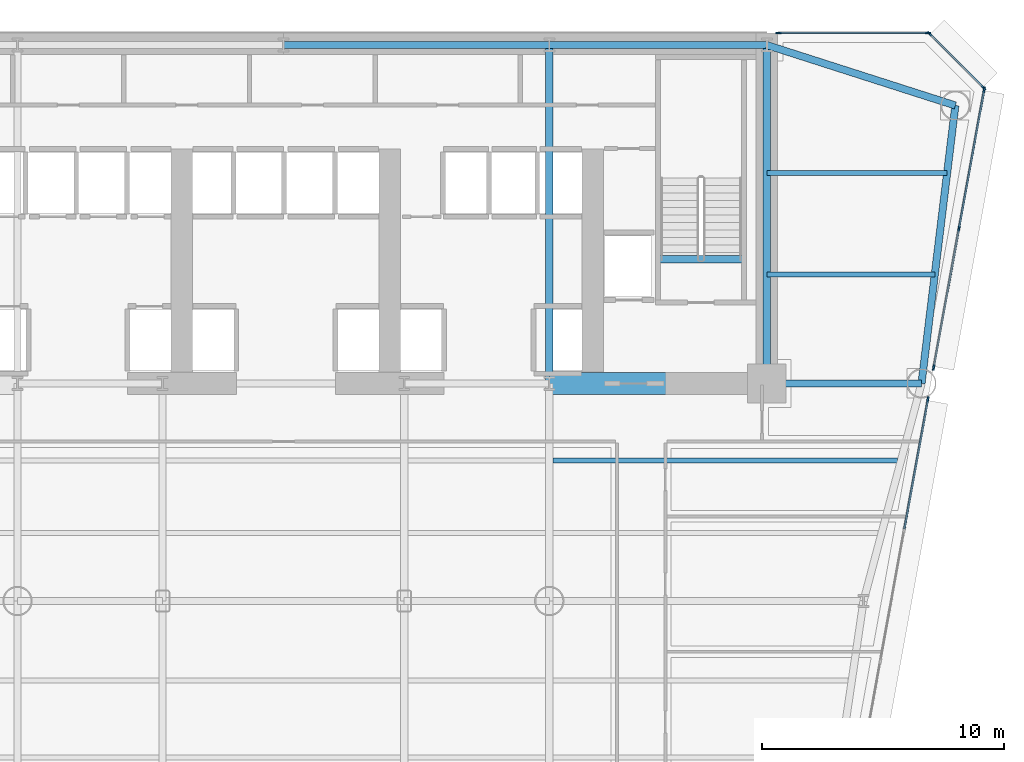
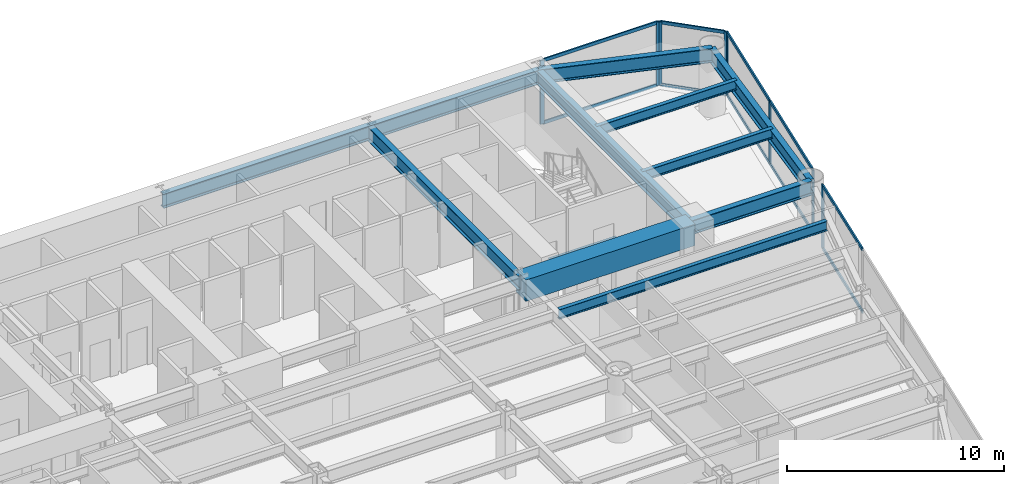
# One storey, part 6 of 14: 18 members, 12 beams, 4 elements without a shape of their own.
"""IFC4 building model written with IfcOpenShell, lengths in metres."""

from ifc_helpers import new_model, si_unit, direction, frame, origin, origin_2d, place, context, subcontext, project, spatial, rectangle, i_section, extrude, source, transform, mapped, material, layer, layer_set, material_profile, profile_set, type_object, element, aggregate, save


model = new_model("IFC4")

# Units and contexts
model_context = context("Model", 3, precision=1e-05, world=origin(), true_north=direction((0.0, 1.0)))
body_context = subcontext(model_context, "Body", "Model", "MODEL_VIEW")
ifc_project = project(units=[si_unit("LENGTHUNIT", "METRE"), si_unit("AREAUNIT", "SQUARE_METRE"), si_unit("VOLUMEUNIT", "CUBIC_METRE"), si_unit("PLANEANGLEUNIT", "RADIAN"), si_unit("MASSUNIT", "GRAM", prefix="KILO")], contexts=[model_context])

# Site, building, storey
site_placement = place(None, origin())
site = spatial("IfcSite", under=ifc_project, at=site_placement, CompositionType="ELEMENT")
building_placement = place(site_placement, origin())
building = spatial("IfcBuilding", under=site, at=building_placement, Name="Vaeldorn Concourse Tower", CompositionType="ELEMENT")
storey_placement = place(building_placement, frame((0.0, 0.0, 34.0)))
storey = spatial("IfcBuildingStorey", under=building, at=storey_placement, Name="L08", CompositionType="ELEMENT", Elevation=34.0)

# Beams
ifc_material_1 = material(Name="Concrete C60/75", Category="concrete")
ifc_material_profile_1 = material_profile(ifc_material_1, rectangle(XDim=0.89990234375, YDim=1.199951171875, at=origin_2d()), Name="RC 900x1200")
ifc_profile_set_1 = profile_set([ifc_material_profile_1], Name="Concrete C60/75")
beam_type_1 = type_object("IfcBeamType", Name="BM-CB-RC900", PredefinedType="BEAM", material=ifc_profile_set_1)
shared_shape_1 = source(origin(), body_context, "Body", "SweptSolid", [
    extrude(rectangle(XDim=0.89990234375, YDim=1.199951171875, at=origin_2d()), origin(), (0.0, 0.0, 1.0), 9.0),
])
beam_1_placement = place(storey_placement, frame((45.0, 36.5, 2.97998046875), z_axis=(1.0, 0.0, 0.0), x_axis=(0.0, 1.0, 0.0)))
element("IfcBeam", 1, at=beam_1_placement, inside=storey, type_object=beam_type_1, Name="Core Coupling Beam L08-2", PredefinedType="BEAM", context=body_context, shape_type="MappedRepresentation", body=[
    mapped(shared_shape_1, transform((0.0, 0.0, 0.0), scale=1.0)),
])
ifc_material_2 = material(Name="Steel S355", Category="steel")
ifc_material_profile_2 = material_profile(ifc_material_2, i_section(OverallWidth=0.300048828125, OverallDepth=0.340087890625, WebThickness=0.011962890625, FlangeThickness=0.021484375, FilletRadius=0.027099609375, at=origin_2d()), Name="HEB 340")
ifc_profile_set_2 = profile_set([ifc_material_profile_2], Name="Steel S355")
beam_type_2 = type_object("IfcBeamType", Name="BM-ST-TRIM", PredefinedType="BEAM", material=ifc_profile_set_2)
shared_shape_2 = source(origin(), body_context, "Body", "SweptSolid", [
    extrude(i_section(OverallWidth=0.300048828125, OverallDepth=0.340087890625, WebThickness=0.011962890625, FlangeThickness=0.021484375, FilletRadius=0.027099609375, at=origin_2d()), origin(), (0.0, 0.0, 1.0), 3.590087890625),
])
beam_2_placement = place(storey_placement, frame((49.47998046875, 41.639892578125, -0.389892578125), z_axis=(1.0, 0.0, 0.0), x_axis=(0.0, 1.0, 0.0)))
element("IfcBeam", 2, at=beam_2_placement, inside=storey, type_object=beam_type_2, Name="Stair Landing Trimmer Beam ST-2 L08", PredefinedType="BEAM", context=body_context, shape_type="MappedRepresentation", body=[
    mapped(shared_shape_2, transform((0.0, 0.0, 0.0), scale=1.0)),
])
ifc_material_profile_3 = material_profile(ifc_material_2, i_section(OverallWidth=0.300048828125, OverallDepth=0.800048828125, WebThickness=0.017578125, FlangeThickness=0.032958984375, FilletRadius=0.030029296875, at=origin_2d()), Name="HEB 800")
ifc_profile_set_3 = profile_set([ifc_material_profile_3], Name="Steel S355")
beam_type_3 = type_object("IfcBeamType", Name="BM-PG-HEB800", PredefinedType="BEAM", material=ifc_profile_set_3)
shared_shape_3 = source(origin(), body_context, "Body", "SweptSolid", [
    extrude(i_section(OverallWidth=0.300048828125, OverallDepth=0.800048828125, WebThickness=0.017578125, FlangeThickness=0.032958984375, FilletRadius=0.030029296875, at=origin_2d()), origin(), (0.0, 0.0, 1.0), 9.0),
])
beam_3_placement = place(storey_placement, frame((45.0, 50.5, 3.179931640625), z_axis=(1.0, 0.0, 0.0), x_axis=(0.0, 1.0, 0.0)))
element("IfcBeam", 3, at=beam_3_placement, inside=storey, type_object=beam_type_3, Name="Beam BM-L08-C-HC4-C-HC5", PredefinedType="BEAM", context=body_context, shape_type="MappedRepresentation", body=[
    mapped(shared_shape_3, transform((0.0, 0.0, 0.0), scale=1.0)),
])
shared_shape_4 = source(origin(), body_context, "Body", "SweptSolid", [
    extrude(i_section(OverallWidth=0.300048828125, OverallDepth=0.800048828125, WebThickness=0.017578125, FlangeThickness=0.032958984375, FilletRadius=0.030029296875, at=origin_2d()), origin(), (0.0, 0.0, 1.0), 11.0),
])
beam_4_placement = place(storey_placement, frame((34.0, 50.5, 3.179931640625), z_axis=(1.0, 0.0, 0.0), x_axis=(0.0, 1.0, 0.0)))
element("IfcBeam", 4, at=beam_4_placement, inside=storey, type_object=beam_type_3, Name="Beam BM-L08-C-HC3-C-HC4", PredefinedType="BEAM", context=body_context, shape_type="MappedRepresentation", body=[
    mapped(shared_shape_4, transform((0.0, 0.0, 0.0), scale=1.0)),
])
shared_shape_5 = source(origin(), body_context, "Body", "SweptSolid", [
    extrude(i_section(OverallWidth=0.300048828125, OverallDepth=0.800048828125, WebThickness=0.017578125, FlangeThickness=0.032958984375, FilletRadius=0.030029296875, at=origin_2d()), origin(), (0.0, 0.0, 1.0), 14.0),
])
for number, where, z_axis, x_axis, name in (
    (5, (45.0, 36.5, 3.179931640625), (0.0, 1.0, 0.0), (-1.0, 0.0, 0.0), "Beam BM-L08-C-FC5-C-HC4"),
    (6, (54.0, 36.5, 3.179931640625), (0.0, 1.0, 0.0), (-1.0, 0.0, 0.0), "Beam BM-L08-C-FC6-C-HC5"),
):
    element("IfcBeam", number, at=place(storey_placement, frame(where, z_axis=z_axis, x_axis=x_axis)), inside=storey, type_object=beam_type_3, Name=name, PredefinedType="BEAM", context=body_context, shape_type="MappedRepresentation", body=[
        mapped(shared_shape_5, transform((0.0, 0.0, 0.0), scale=1.0)),
    ])
shared_shape_6 = source(origin(), body_context, "Body", "SweptSolid", [
    extrude(i_section(OverallWidth=0.300048828125, OverallDepth=0.800048828125, WebThickness=0.017578125, FlangeThickness=0.032958984375, FilletRadius=0.030029296875, at=origin_2d()), origin(), (0.0, 0.0, 1.0), 8.19091796875),
])
beam_5_placement = place(storey_placement, frame((54.0, 50.5, 3.179931640625), z_axis=(0.952282843383, -0.305216949396, 0.0), x_axis=(0.305216949396, 0.952282843383, 0.0)))
element("IfcBeam", 7, at=beam_5_placement, inside=storey, type_object=beam_type_3, Name="Beam BM-L08-C-HC5-C-NE1", PredefinedType="BEAM", context=body_context, shape_type="MappedRepresentation", body=[
    mapped(shared_shape_6, transform((0.0, 0.0, 0.0), scale=1.0)),
])
shared_shape_7 = source(origin(), body_context, "Body", "SweptSolid", [
    extrude(i_section(OverallWidth=0.300048828125, OverallDepth=0.800048828125, WebThickness=0.017578125, FlangeThickness=0.032958984375, FilletRadius=0.030029296875, at=origin_2d()), origin(), (0.0, 0.0, 1.0), 11.5849609375),
])
beam_6_placement = place(storey_placement, frame((61.800048828125, 48.0, 3.179931640625), z_axis=(-0.120859382899, -0.992669637677, 0.0), x_axis=(0.992669637677, -0.120859382899, 0.0)))
element("IfcBeam", 8, at=beam_6_placement, inside=storey, type_object=beam_type_3, Name="Beam BM-L08-C-NE1-C-NE2", PredefinedType="BEAM", context=body_context, shape_type="MappedRepresentation", body=[
    mapped(shared_shape_7, transform((0.0, 0.0, 0.0), scale=1.0)),
])
shared_shape_8 = source(origin(), body_context, "Body", "SweptSolid", [
    extrude(i_section(OverallWidth=0.300048828125, OverallDepth=0.800048828125, WebThickness=0.017578125, FlangeThickness=0.032958984375, FilletRadius=0.030029296875, at=origin_2d()), origin(), (0.0, 0.0, 1.0), 6.39990234375),
])
beam_7_placement = place(storey_placement, frame((54.0, 36.5, 3.179931640625), z_axis=(1.0, 0.0, 0.0), x_axis=(0.0, 1.0, 0.0)))
element("IfcBeam", 9, at=beam_7_placement, inside=storey, type_object=beam_type_3, Name="Beam BM-L08-C-FC6-C-NE2", PredefinedType="BEAM", context=body_context, shape_type="MappedRepresentation", body=[
    mapped(shared_shape_8, transform((0.0, 0.0, 0.0), scale=1.0)),
])
ifc_material_profile_4 = material_profile(ifc_material_2, i_section(OverallWidth=0.2099609375, OverallDepth=0.550048828125, WebThickness=0.010986328125, FlangeThickness=0.01708984375, FilletRadius=0.02392578125, at=origin_2d()), Name="IPE 550")
ifc_profile_set_4 = profile_set([ifc_material_profile_4], Name="Steel S355")
beam_type_4 = type_object("IfcBeamType", Name="BM-JS-IPE550", PredefinedType="JOIST", material=ifc_profile_set_4)
shared_shape_9 = source(origin(), body_context, "Body", "SweptSolid", [
    extrude(i_section(OverallWidth=0.2099609375, OverallDepth=0.550048828125, WebThickness=0.010986328125, FlangeThickness=0.01708984375, FilletRadius=0.02392578125, at=origin_2d()), origin(), (0.0, 0.0, 1.0), 6.94775390625),
])
beam_8_placement = place(storey_placement, frame((54.0, 41.0, 3.304931640625), z_axis=(1.0, 0.0, 0.0), x_axis=(0.0, 1.0, 0.0)))
element("IfcBeam", 10, at=beam_8_placement, inside=storey, type_object=beam_type_4, Name="Beam JS-L08-NE-410", PredefinedType="JOIST", context=body_context, shape_type="MappedRepresentation", body=[
    mapped(shared_shape_9, transform((0.0, 0.0, 0.0), scale=1.0)),
])
shared_shape_10 = source(origin(), body_context, "Body", "SweptSolid", [
    extrude(i_section(OverallWidth=0.2099609375, OverallDepth=0.550048828125, WebThickness=0.010986328125, FlangeThickness=0.01708984375, FilletRadius=0.02392578125, at=origin_2d()), origin(), (0.0, 0.0, 1.0), 7.458984375),
])
beam_9_placement = place(storey_placement, frame((54.0, 45.199951171875, 3.304931640625), z_axis=(1.0, 0.0, 0.0), x_axis=(0.0, 1.0, 0.0)))
element("IfcBeam", 11, at=beam_9_placement, inside=storey, type_object=beam_type_4, Name="Beam JS-L08-NE-452", PredefinedType="JOIST", context=body_context, shape_type="MappedRepresentation", body=[
    mapped(shared_shape_10, transform((0.0, 0.0, 0.0), scale=1.0)),
])
shared_shape_11 = source(origin(), body_context, "Body", "SweptSolid", [
    extrude(i_section(OverallWidth=0.2099609375, OverallDepth=0.550048828125, WebThickness=0.010986328125, FlangeThickness=0.01708984375, FilletRadius=0.02392578125, at=origin_2d()), origin(), (0.0, 0.0, 1.0), 14.252197265625),
])
beam_10_placement = place(storey_placement, frame((45.14990234375, 33.320068359375, 3.304931640625), z_axis=(1.0, 0.0, 0.0), x_axis=(0.0, 1.0, 0.0)))
element("IfcBeam", 12, at=beam_10_placement, inside=storey, type_object=beam_type_4, Name="Beam JS-L08-E1-333", PredefinedType="JOIST", context=body_context, shape_type="MappedRepresentation", body=[
    mapped(shared_shape_11, transform((0.0, 0.0, 0.0), scale=1.0)),
])

# Curtain wall, members
ifc_material_3 = material(Name="Anodised Bronze Aluminium", Category="aluminium")
ifc_layer = layer(ifc_material_3, 0.219970703125)
ifc_layer_set = layer_set([ifc_layer], Name="Anodised Bronze Aluminium")
curtain_wall_type = type_object("IfcCurtainWallType", Name="CW-SYS-01", PredefinedType="NOTDEFINED", material=ifc_layer_set)
curtain_wall_1_placement = place(storey_placement, origin())
curtain_wall_1 = element("IfcCurtainWall", 13, at=curtain_wall_1_placement, inside=storey, type_object=curtain_wall_type, Name="Unitised Curtain Wall CW-L08-E08-1", PredefinedType="NOTDEFINED")
ifc_material_profile_5 = material_profile(ifc_material_3, rectangle(XDim=0.074951171875, YDim=0.179931640625, at=origin_2d()), Name="CWT 75x180")
ifc_profile_set_5 = profile_set([ifc_material_profile_5], Name="Anodised Bronze Aluminium")
member_type_1 = type_object("IfcMemberType", Name="CWT-BRONZE-180", PredefinedType="USERDEFINED", material=ifc_profile_set_5)
shared_shape_12 = source(origin(), body_context, "Body", "SweptSolid", [
    extrude(rectangle(XDim=0.074951171875, YDim=0.179931640625, at=origin_2d()), origin(), (0.0, 0.0, 1.0), 3.10302734375),
])
member_1_placement = place(storey_placement, frame((62.947021484375, 48.7529296875, 0.03759765625), z_axis=(-0.707106781187, 0.707106781187, 0.0), x_axis=(-0.707106781187, -0.707106781187, 0.0)))
member_1 = element("IfcMember", 14, at=member_1_placement, type_object=member_type_1, Name="CW-01 transom 1.1", ObjectType="TRANSOM", PredefinedType="USERDEFINED", context=body_context, shape_type="MappedRepresentation", body=[
    mapped(shared_shape_12, transform((0.0, 0.0, 0.0), scale=1.0)),
])
member_2_placement = place(storey_placement, frame((62.947021484375, 48.7529296875, 3.54248046875), z_axis=(-0.707106781187, 0.707106781187, 0.0), x_axis=(-0.707106781187, -0.707106781187, 0.0)))
member_2 = element("IfcMember", 15, at=member_2_placement, type_object=member_type_1, Name="CW-01 transom 1.2", ObjectType="TRANSOM", PredefinedType="USERDEFINED", context=body_context, shape_type="MappedRepresentation", body=[
    mapped(shared_shape_12, transform((0.0, 0.0, 0.0), scale=1.0)),
])

curtain_wall_2_placement = place(storey_placement, origin())
curtain_wall_2 = element("IfcCurtainWall", 16, at=curtain_wall_2_placement, inside=storey, type_object=curtain_wall_type, Name="Unitised Curtain Wall CW-L08-E09-1", PredefinedType="NOTDEFINED")
shared_shape_13 = source(origin(), body_context, "Body", "SweptSolid", [
    extrude(rectangle(XDim=0.074951171875, YDim=0.179931640625, at=origin_2d()), origin(), (0.0, 0.0, 1.0), 6.10498046875),
])
member_3_placement = place(storey_placement, frame((60.625, 51.0, 0.03759765625), z_axis=(-1.0, 0.0, 0.0), x_axis=(0.0, -1.0, 0.0)))
member_3 = element("IfcMember", 17, at=member_3_placement, type_object=member_type_1, Name="CW-01 transom 1.1", ObjectType="TRANSOM", PredefinedType="USERDEFINED", context=body_context, shape_type="MappedRepresentation", body=[
    mapped(shared_shape_13, transform((0.0, 0.0, 0.0), scale=1.0)),
])
member_4_placement = place(storey_placement, frame((60.625, 51.0, 3.54248046875), z_axis=(-1.0, 0.0, 0.0), x_axis=(0.0, -1.0, 0.0)))
member_4 = element("IfcMember", 18, at=member_4_placement, type_object=member_type_1, Name="CW-01 transom 1.2", ObjectType="TRANSOM", PredefinedType="USERDEFINED", context=body_context, shape_type="MappedRepresentation", body=[
    mapped(shared_shape_13, transform((0.0, 0.0, 0.0), scale=1.0)),
])

curtain_wall_3_placement = place(storey_placement, origin())
curtain_wall_3 = element("IfcCurtainWall", 19, at=curtain_wall_3_placement, inside=storey, type_object=curtain_wall_type, Name="Unitised Curtain Wall CW-L08-E07-2", PredefinedType="NOTDEFINED")
shared_shape_14 = source(origin(), body_context, "Body", "SweptSolid", [
    extrude(rectangle(XDim=0.074951171875, YDim=0.179931640625, at=origin_2d()), origin(), (0.0, 0.0, 1.0), 5.7724609375),
])
member_5_placement = place(storey_placement, frame((60.9091796875, 37.193359375, 0.03759765625), z_axis=(0.178777502374, 0.983889528679, 0.0), x_axis=(-0.983889528679, 0.178777502374, 0.0)))
member_5 = element("IfcMember", 20, at=member_5_placement, type_object=member_type_1, Name="CW-01 transom 1.1", ObjectType="TRANSOM", PredefinedType="USERDEFINED", context=body_context, shape_type="MappedRepresentation", body=[
    mapped(shared_shape_14, transform((0.0, 0.0, 0.0), scale=1.0)),
])
member_6_placement = place(storey_placement, frame((60.9091796875, 37.193359375, 3.54248046875), z_axis=(0.178777502374, 0.983889528679, 0.0), x_axis=(-0.983889528679, 0.178777502374, 0.0)))
member_6 = element("IfcMember", 21, at=member_6_placement, type_object=member_type_1, Name="CW-01 transom 1.2", ObjectType="TRANSOM", PredefinedType="USERDEFINED", context=body_context, shape_type="MappedRepresentation", body=[
    mapped(shared_shape_14, transform((0.0, 0.0, 0.0), scale=1.0)),
])

# Curtain wall, member
curtain_wall_4_placement = place(storey_placement, origin())
curtain_wall_4 = element("IfcCurtainWall", 22, at=curtain_wall_4_placement, inside=storey, type_object=curtain_wall_type, Name="Unitised Curtain Wall CW-L08-E07-1", PredefinedType="NOTDEFINED")
ifc_material_profile_6 = material_profile(ifc_material_3, rectangle(XDim=0.074951171875, YDim=0.219970703125, at=origin_2d()), Name="CWM 75x220")
ifc_profile_set_6 = profile_set([ifc_material_profile_6], Name="Anodised Bronze Aluminium")
member_type_2 = type_object("IfcMemberType", Name="CWM-BRONZE-220", PredefinedType="MULLION", material=ifc_profile_set_6)
shared_shape_15 = source(origin(), body_context, "Body", "SweptSolid", [
    extrude(rectangle(XDim=0.074951171875, YDim=0.219970703125, at=origin_2d()), origin(), (0.0, 0.0, 1.0), 3.580078125),
])
member_7_placement = place(storey_placement, frame((60.6640625, 35.843505859375, 0.0), z_axis=(0.0, 0.0, 1.0), x_axis=(-0.983889929037, 0.17877529902, 0.0)))
member_7 = element("IfcMember", 23, at=member_7_placement, type_object=member_type_2, Name="CW-01 mullion 7", PredefinedType="MULLION", context=body_context, shape_type="MappedRepresentation", body=[
    mapped(shared_shape_15, transform((0.0, 0.0, 0.0), scale=1.0)),
])

# Member
member_8_placement = place(storey_placement, frame((60.902587890625, 37.156494140625, 0.0), z_axis=(0.0, 0.0, 1.0), x_axis=(-0.983890022625, 0.17877478396, 0.0)))
member_8 = element("IfcMember", 24, at=member_8_placement, type_object=member_type_2, Name="CW-01 mullion 1", PredefinedType="MULLION", context=body_context, shape_type="MappedRepresentation", body=[
    mapped(shared_shape_15, transform((0.0, 0.0, 0.0), scale=1.0)),
])

member_9_placement = place(storey_placement, frame((61.947998046875, 42.90966796875, 0.0), z_axis=(0.0, 0.0, 1.0), x_axis=(-0.983890022625, 0.17877478396, 0.0)))
member_9 = element("IfcMember", 25, at=member_9_placement, type_object=member_type_2, Name="CW-01 mullion 2", PredefinedType="MULLION", context=body_context, shape_type="MappedRepresentation", body=[
    mapped(shared_shape_15, transform((0.0, 0.0, 0.0), scale=1.0)),
])

member_10_placement = place(storey_placement, frame((62.993408203125, 48.6630859375, 0.0), z_axis=(0.0, 0.0, 1.0), x_axis=(-0.983890022625, 0.17877478396, 0.0)))
member_10 = element("IfcMember", 26, at=member_10_placement, type_object=member_type_2, Name="CW-01 mullion 3", PredefinedType="MULLION", context=body_context, shape_type="MappedRepresentation", body=[
    mapped(shared_shape_15, transform((0.0, 0.0, 0.0), scale=1.0)),
])

member_11_placement = place(storey_placement, frame((62.973388671875, 48.7265625, 0.0), z_axis=(0.0, 0.0, 1.0), x_axis=(-0.707106781187, -0.707106781187, 0.0)))
member_11 = element("IfcMember", 27, at=member_11_placement, type_object=member_type_2, Name="CW-01 mullion 1", PredefinedType="MULLION", context=body_context, shape_type="MappedRepresentation", body=[
    mapped(shared_shape_15, transform((0.0, 0.0, 0.0), scale=1.0)),
])

member_12_placement = place(storey_placement, frame((60.7265625, 50.973388671875, 0.0), z_axis=(0.0, 0.0, 1.0), x_axis=(-0.707106781187, -0.707106781187, 0.0)))
member_12 = element("IfcMember", 28, at=member_12_placement, type_object=member_type_2, Name="CW-01 mullion 2", PredefinedType="MULLION", context=body_context, shape_type="MappedRepresentation", body=[
    mapped(shared_shape_15, transform((0.0, 0.0, 0.0), scale=1.0)),
])

aggregate(curtain_wall_1, [member_11, member_12, member_1, member_2])

member_13_placement = place(storey_placement, frame((60.66259765625, 51.0, 0.0), z_axis=(0.0, 0.0, 1.0), x_axis=(0.0, -1.0, 0.0)))
member_13 = element("IfcMember", 29, at=member_13_placement, type_object=member_type_2, Name="CW-01 mullion 1", PredefinedType="MULLION", context=body_context, shape_type="MappedRepresentation", body=[
    mapped(shared_shape_15, transform((0.0, 0.0, 0.0), scale=1.0)),
])

member_14_placement = place(storey_placement, frame((54.482421875, 51.0, 0.0), z_axis=(0.0, 0.0, 1.0), x_axis=(0.0, -1.0, 0.0)))
member_14 = element("IfcMember", 30, at=member_14_placement, type_object=member_type_2, Name="CW-01 mullion 2", PredefinedType="MULLION", context=body_context, shape_type="MappedRepresentation", body=[
    mapped(shared_shape_15, transform((0.0, 0.0, 0.0), scale=1.0)),
])

aggregate(curtain_wall_2, [member_13, member_14, member_3, member_4])

shared_shape_16 = source(origin(), body_context, "Body", "SweptSolid", [
    extrude(rectangle(XDim=0.074951171875, YDim=0.179931640625, at=origin_2d()), origin(), (0.0, 0.0, 1.0), 5.772705078125),
])
member_15_placement = place(storey_placement, frame((61.95458984375, 42.946533203125, 0.03759765625), z_axis=(0.178770063246, 0.983890880376, 0.0), x_axis=(-0.983890880376, 0.178770063246, 0.0)))
member_15 = element("IfcMember", 31, at=member_15_placement, type_object=member_type_1, Name="CW-01 transom 2.1", ObjectType="TRANSOM", PredefinedType="USERDEFINED", context=body_context, shape_type="MappedRepresentation", body=[
    mapped(shared_shape_16, transform((0.0, 0.0, 0.0), scale=1.0)),
])

member_16_placement = place(storey_placement, frame((61.95458984375, 42.946533203125, 3.54248046875), z_axis=(0.178770063246, 0.983890880376, 0.0), x_axis=(-0.983890880376, 0.178770063246, 0.0)))
member_16 = element("IfcMember", 32, at=member_16_placement, type_object=member_type_1, Name="CW-01 transom 2.2", ObjectType="TRANSOM", PredefinedType="USERDEFINED", context=body_context, shape_type="MappedRepresentation", body=[
    mapped(shared_shape_16, transform((0.0, 0.0, 0.0), scale=1.0)),
])

aggregate(curtain_wall_3, [member_8, member_9, member_10, member_5, member_6, member_15, member_16])

shared_shape_17 = source(origin(), body_context, "Body", "SweptSolid", [
    extrude(rectangle(XDim=0.074951171875, YDim=0.179931640625, at=origin_2d()), origin(), (0.0, 0.0, 1.0), 5.413818359375),
])
member_17_placement = place(storey_placement, frame((59.689453125, 30.47998046875, 0.03759765625), z_axis=(0.178758447863, 0.983892990786, 0.0), x_axis=(-0.983892990786, 0.178758447863, 0.0)))
member_17 = element("IfcMember", 33, at=member_17_placement, type_object=member_type_1, Name="CW-01 transom 6.1", ObjectType="TRANSOM", PredefinedType="USERDEFINED", context=body_context, shape_type="MappedRepresentation", body=[
    mapped(shared_shape_17, transform((0.0, 0.0, 0.0), scale=1.0)),
])

member_18_placement = place(storey_placement, frame((59.689453125, 30.47998046875, 3.54248046875), z_axis=(0.178758447863, 0.983892990786, 0.0), x_axis=(-0.983892990786, 0.178758447863, 0.0)))
member_18 = element("IfcMember", 34, at=member_18_placement, type_object=member_type_1, Name="CW-01 transom 6.2", ObjectType="TRANSOM", PredefinedType="USERDEFINED", context=body_context, shape_type="MappedRepresentation", body=[
    mapped(shared_shape_17, transform((0.0, 0.0, 0.0), scale=1.0)),
])

aggregate(curtain_wall_4, [member_7, member_17, member_18])

save(model, "model.ifc")
